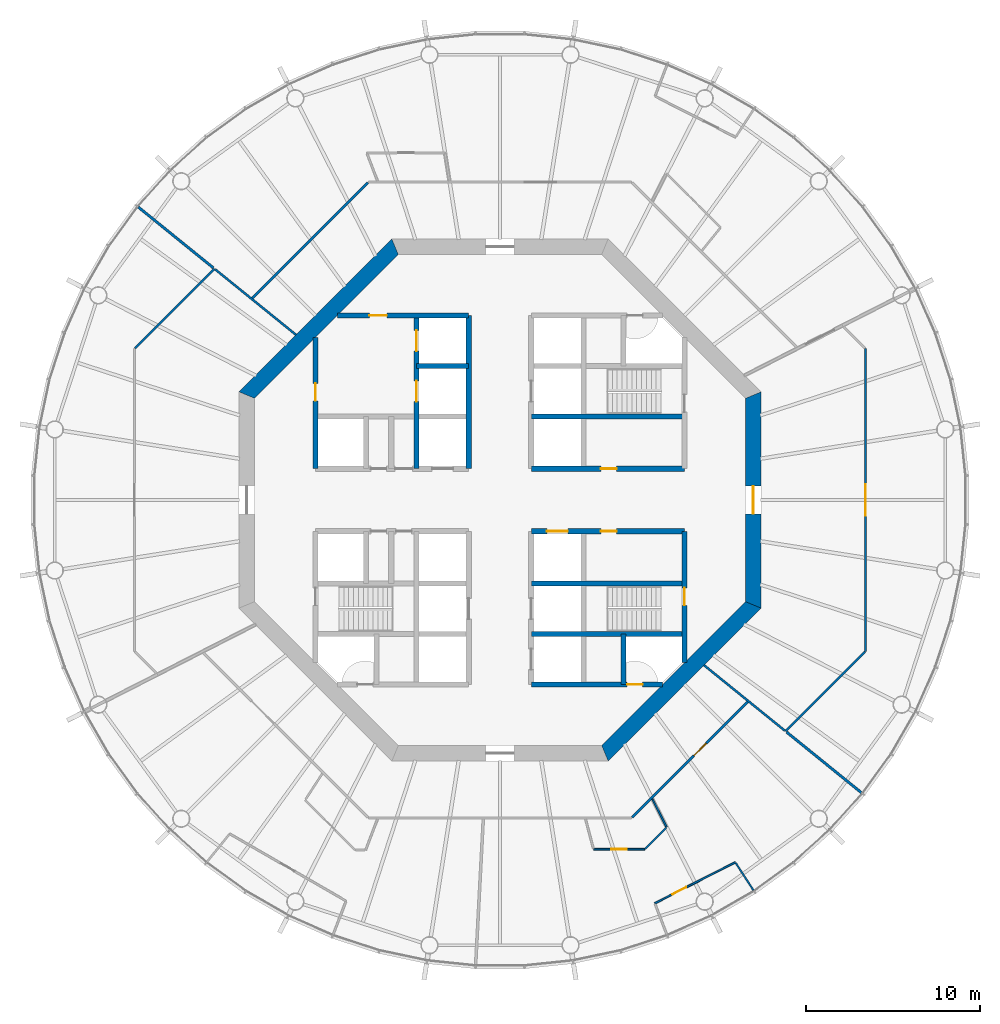
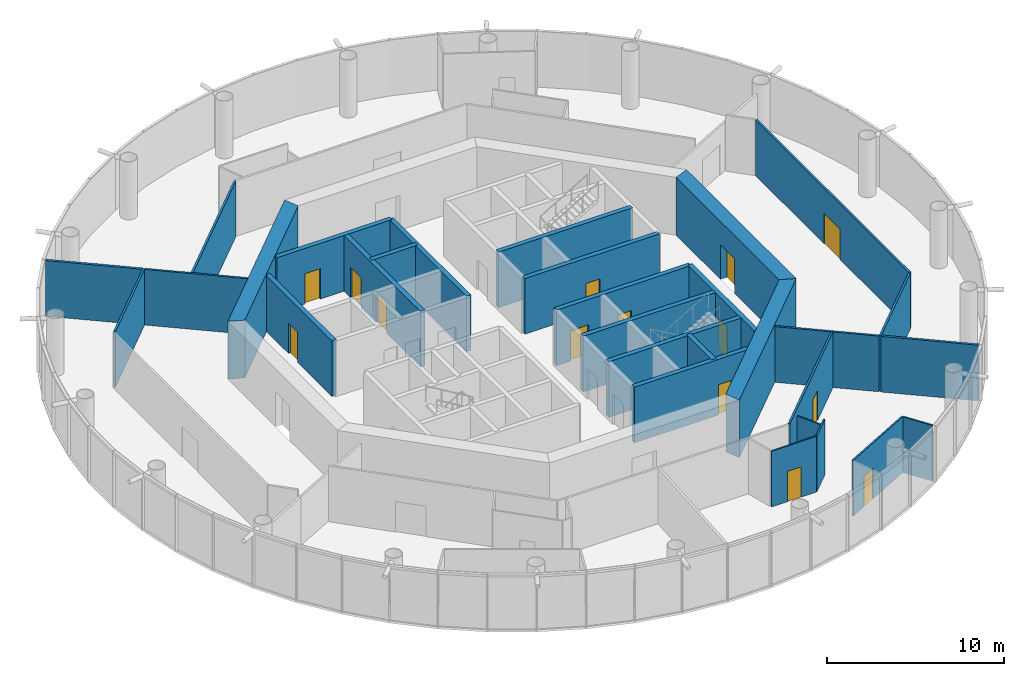
# One storey, part 4 of 13: 30 walls, 14 doors, 14 openings.
"""IFC4 building model written with IfcOpenShell, lengths in metres."""

from ifc_helpers import new_model, si_unit, direction, frame, frame_2d, origin, place, context, subcontext, project, spatial, polyline, rectangle, outline, extrude, material, layer, layer_set, type_object, element, fill, save


model = new_model("IFC4")

# Units and contexts
model_context = context("Model", 3, precision=1e-05, world=origin(), true_north=direction((0.0, 1.0)))
body_context = subcontext(model_context, "Body", "Model", "MODEL_VIEW")
ifc_project = project(units=[si_unit("LENGTHUNIT", "METRE"), si_unit("AREAUNIT", "SQUARE_METRE"), si_unit("VOLUMEUNIT", "CUBIC_METRE"), si_unit("PLANEANGLEUNIT", "RADIAN"), si_unit("MASSUNIT", "GRAM", prefix="KILO")], contexts=[model_context])

# Site, building, storey
site_placement = place(None, origin())
site = spatial("IfcSite", under=ifc_project, at=site_placement, CompositionType="ELEMENT")
building_placement = place(site_placement, origin())
building = spatial("IfcBuilding", under=site, at=building_placement, Name="Entoto Ring Tower", CompositionType="ELEMENT")
storey_placement = place(building_placement, frame((0.0, 0.0, 258.0)))
storey = spatial("IfcBuildingStorey", under=building, at=storey_placement, Name="L59", CompositionType="ELEMENT", Elevation=258.0)

# Wall, opening, door
ifc_material_1 = material(Name="Concrete C40/50", Category="concrete")
ifc_layer_1 = layer(ifc_material_1, 0.300048828125)
ifc_layer_set_1 = layer_set([ifc_layer_1], Name="Concrete C40/50")
wall_type_1 = type_object("IfcWallType", Name="Core enclosure wall 300 mm reinforced concrete", PredefinedType="SOLIDWALL", material=ifc_layer_set_1)
wall_1_placement = place(storey_placement, frame((100.60009765625, 70.65966796875, 0.0), z_axis=(0.0, 0.0, 1.0), x_axis=(0.0, 1.0, 0.0)))
wall_1 = element("IfcWall", 1, at=wall_1_placement, inside=storey, type_object=wall_type_1, Name="wall-L59-001", PredefinedType="SOLIDWALL", context=body_context, shape_type="SweptSolid", body=[
    extrude(rectangle(XDim=7.540283203125, YDim=0.300048828125, at=frame_2d((3.77001953125, 0.0))), origin(), (0.0, 0.0, 1.0), 3.85009765625),
])
opening_1_placement = place(wall_1_placement, frame((3.290283203125, 0.0, 0.0)))
opening_1 = element("IfcOpeningElement", 2, at=opening_1_placement, cuts=wall_1, Name="Opening K-61", PredefinedType="OPENING", context=body_context, shape_type="SweptSolid", body=[
    extrude(rectangle(XDim=1.0, YDim=2.10009765625, at=frame_2d((0.5, 1.050048828125))), frame((0.0, 0.16015625, 0.0), z_axis=(0.0, -1.0, 0.0), x_axis=(1.0, 0.0, 0.0)), (0.0, 0.0, 1.0), 0.320068359375),
])
ifc_material_2 = material(Name="Steel door leaf, fire rated", Category="steel")
ifc_layer_2 = layer(ifc_material_2, 0.050048828125)
ifc_layer_set_2 = layer_set([ifc_layer_2], Name="Steel door leaf, fire rated")
door_type_1 = type_object("IfcDoorType", Name="Fire door FD60 1000 x 2100 single leaf", OperationType="NOTDEFINED", PredefinedType="DOOR", material=ifc_layer_set_2)
door_1_placement = place(opening_1_placement, origin())
door_1 = element("IfcDoor", 3, at=door_1_placement, inside=storey, type_object=door_type_1, Name="Door K-61", OperationType="SINGLE_SWING_RIGHT", OverallHeight=2.10009765625, OverallWidth=1.0, PredefinedType="DOOR", context=body_context, shape_type="SweptSolid", body=[
    extrude(rectangle(XDim=1.0, YDim=2.10009765625, at=frame_2d((0.5, 1.050048828125))), frame((0.0, 0.02490234375, 0.0), z_axis=(0.0, -1.0, 0.0), x_axis=(1.0, 0.0, 0.0)), (0.0, 0.0, 1.0), 0.050048828125),
])
fill(opening_1, door_1)

# Walls
wall_2_placement = place(storey_placement, frame((97.10009765625, 69.39990234375, 0.0), z_axis=(0.0, 0.0, 1.0), x_axis=(0.0, 1.0, 0.0)))
element("IfcWall", 4, at=wall_2_placement, inside=storey, type_object=wall_type_1, Name="wall-L59-003", PredefinedType="SOLIDWALL", context=body_context, shape_type="SweptSolid", body=[
    extrude(rectangle(XDim=2.900146484375, YDim=0.300048828125, at=frame_2d((1.4501953125, 0.0))), origin(), (0.0, 0.0, 1.0), 3.85009765625),
])
wall_3_placement = place(storey_placement, frame((88.199951171875, 81.800048828125, 0.0), z_axis=(0.0, 0.0, 1.0), x_axis=(0.0, 1.0, 0.0)))
element("IfcWall", 5, at=wall_3_placement, inside=storey, type_object=wall_type_1, Name="wall-L59-010", PredefinedType="SOLIDWALL", context=body_context, shape_type="SweptSolid", body=[
    extrude(rectangle(XDim=8.800048828125, YDim=0.300048828125, at=frame_2d((4.39990234375, 0.0))), origin(), (0.0, 0.0, 1.0), 3.85009765625),
])

# Wall, openings, doors
wall_4_placement = place(storey_placement, frame((85.199951171875, 81.800048828125, 0.0), z_axis=(0.0, 0.0, 1.0), x_axis=(0.0, 1.0, 0.0)))
wall_4 = element("IfcWall", 6, at=wall_4_placement, inside=storey, type_object=wall_type_1, Name="wall-L59-012", PredefinedType="SOLIDWALL", context=body_context, shape_type="SweptSolid", body=[
    extrude(rectangle(XDim=8.800048828125, YDim=0.300048828125, at=frame_2d((4.39990234375, 0.0))), origin(), (0.0, 0.0, 1.0), 3.85009765625),
])
opening_2_placement = place(wall_4_placement, frame((3.85009765625, 0.0, 0.0)))
opening_2 = element("IfcOpeningElement", 7, at=opening_2_placement, cuts=wall_4, Name="Opening LD", PredefinedType="OPENING", context=body_context, shape_type="SweptSolid", body=[
    extrude(rectangle(XDim=1.199951171875, YDim=2.10009765625, at=frame_2d((0.60009765625, 1.050048828125))), frame((0.0, 0.16015625, 0.0), z_axis=(0.0, -1.0, 0.0), x_axis=(1.0, 0.0, 0.0)), (0.0, 0.0, 1.0), 0.320068359375),
])
opening_3_placement = place(wall_4_placement, frame((6.75, 0.0, 0.0)))
opening_3 = element("IfcOpeningElement", 8, at=opening_3_placement, cuts=wall_4, Name="Opening LD", PredefinedType="OPENING", context=body_context, shape_type="SweptSolid", body=[
    extrude(rectangle(XDim=1.199951171875, YDim=2.10009765625, at=frame_2d((0.60009765625, 1.050048828125))), frame((0.0, 0.16015625, 0.0), z_axis=(0.0, -1.0, 0.0), x_axis=(1.0, 0.0, 0.0)), (0.0, 0.0, 1.0), 0.320068359375),
])
ifc_material_3 = material(Name="Steel and glass door leaf", Category="steel")
ifc_layer_3 = layer(ifc_material_3, 0.050048828125)
ifc_layer_set_3 = layer_set([ifc_layer_3], Name="Steel and glass door leaf")
door_type_2 = type_object("IfcDoorType", Name="Landing door 1200 x 2100 sliding", OperationType="DOUBLE_DOOR_SLIDING", PredefinedType="DOOR", material=ifc_layer_set_3)
door_2_placement = place(opening_2_placement, origin())
door_2 = element("IfcDoor", 9, at=door_2_placement, inside=storey, type_object=door_type_2, Name="Landing door FF1", OperationType="SLIDING_TO_RIGHT", OverallHeight=2.10009765625, OverallWidth=1.199951171875, PredefinedType="DOOR", context=body_context, shape_type="SweptSolid", body=[
    extrude(rectangle(XDim=1.199951171875, YDim=2.10009765625, at=frame_2d((0.60009765625, 1.050048828125))), frame((0.0, 0.02490234375, 0.0), z_axis=(0.0, -1.0, 0.0), x_axis=(1.0, 0.0, 0.0)), (0.0, 0.0, 1.0), 0.050048828125),
])
fill(opening_2, door_2)
door_3_placement = place(opening_3_placement, origin())
door_3 = element("IfcDoor", 10, at=door_3_placement, inside=storey, type_object=door_type_2, Name="Landing door FF2", OperationType="SLIDING_TO_RIGHT", OverallHeight=2.10009765625, OverallWidth=1.199951171875, PredefinedType="DOOR", context=body_context, shape_type="SweptSolid", body=[
    extrude(rectangle(XDim=1.199951171875, YDim=2.10009765625, at=frame_2d((0.60009765625, 1.050048828125))), frame((0.0, 0.02490234375, 0.0), z_axis=(0.0, -1.0, 0.0), x_axis=(1.0, 0.0, 0.0)), (0.0, 0.0, 1.0), 0.050048828125),
])
fill(opening_3, door_3)

# Wall, opening, door
wall_5_placement = place(storey_placement, frame((79.39990234375, 81.800048828125, 0.0), z_axis=(0.0, 0.0, 1.0), x_axis=(0.0, 1.0, 0.0)))
wall_5 = element("IfcWall", 11, at=wall_5_placement, inside=storey, type_object=wall_type_1, Name="wall-L59-019", PredefinedType="SOLIDWALL", context=body_context, shape_type="SweptSolid", body=[
    extrude(rectangle(XDim=7.540283203125, YDim=0.300048828125, at=frame_2d((3.77001953125, 0.0))), origin(), (0.0, 0.0, 1.0), 3.85009765625),
])
opening_4_placement = place(wall_5_placement, frame((3.89990234375, 0.0, 0.0)))
opening_4 = element("IfcOpeningElement", 12, at=opening_4_placement, cuts=wall_5, Name="Opening K-23", PredefinedType="OPENING", context=body_context, shape_type="SweptSolid", body=[
    extrude(rectangle(XDim=1.0, YDim=2.10009765625, at=frame_2d((0.5, 1.050048828125))), frame((0.0, 0.16015625, 0.0), z_axis=(0.0, -1.0, 0.0), x_axis=(1.0, 0.0, 0.0)), (0.0, 0.0, 1.0), 0.320068359375),
])
door_4_placement = place(opening_4_placement, frame((1.0, 0.0, 0.0), z_axis=(0.0, 0.0, 1.0), x_axis=(-1.0, 0.0, 0.0)))
door_4 = element("IfcDoor", 13, at=door_4_placement, inside=storey, type_object=door_type_1, Name="Door K-23", OperationType="SINGLE_SWING_RIGHT", OverallHeight=2.10009765625, OverallWidth=1.0, PredefinedType="DOOR", context=body_context, shape_type="SweptSolid", body=[
    extrude(rectangle(XDim=1.0, YDim=2.10009765625, at=frame_2d((0.5, 1.050048828125))), frame((0.0, 0.02490234375, 0.0), z_axis=(0.0, -1.0, 0.0), x_axis=(1.0, 0.0, 0.0)), (0.0, 0.0, 1.0), 0.050048828125),
])
fill(opening_4, door_4)

wall_6_placement = place(storey_placement, frame((91.800048828125, 69.39990234375, 0.0), z_axis=(0.0, 0.0, 1.0), x_axis=(1.0, 0.0, 0.0)))
wall_6 = element("IfcWall", 14, at=wall_6_placement, inside=storey, type_object=wall_type_1, Name="wall-L59-021", PredefinedType="SOLIDWALL", context=body_context, shape_type="SweptSolid", body=[
    extrude(rectangle(XDim=7.540283203125, YDim=0.300048828125, at=frame_2d((3.77001953125, 0.0))), origin(), (0.0, 0.0, 1.0), 3.85009765625),
])
opening_5_placement = place(wall_6_placement, frame((5.5, 0.0, 0.0)))
opening_5 = element("IfcOpeningElement", 15, at=opening_5_placement, cuts=wall_6, Name="Opening K-68", PredefinedType="OPENING", context=body_context, shape_type="SweptSolid", body=[
    extrude(rectangle(XDim=0.89990234375, YDim=2.10009765625, at=frame_2d((0.449951171875, 1.050048828125))), frame((0.0, 0.16015625, 0.0), z_axis=(0.0, -1.0, 0.0), x_axis=(1.0, 0.0, 0.0)), (0.0, 0.0, 1.0), 0.320068359375),
])
ifc_material_4 = material(Name="Steel door leaf, fire rated", Category="steel")
ifc_layer_4 = layer(ifc_material_4, 0.050048828125)
ifc_layer_set_4 = layer_set([ifc_layer_4], Name="Steel door leaf, fire rated")
door_type_3 = type_object("IfcDoorType", Name="Riser door FD60 900 x 2100 single leaf", OperationType="NOTDEFINED", PredefinedType="DOOR", material=ifc_layer_set_4)
door_5_placement = place(opening_5_placement, origin())
door_5 = element("IfcDoor", 16, at=door_5_placement, inside=storey, type_object=door_type_3, Name="Door K-68", OperationType="SINGLE_SWING_LEFT", OverallHeight=2.10009765625, OverallWidth=0.89990234375, PredefinedType="DOOR", context=body_context, shape_type="SweptSolid", body=[
    extrude(rectangle(XDim=0.89990234375, YDim=2.10009765625, at=frame_2d((0.449951171875, 1.050048828125))), frame((0.0, 0.02490234375, 0.0), z_axis=(0.0, -1.0, 0.0), x_axis=(1.0, 0.0, 0.0)), (0.0, 0.0, 1.0), 0.050048828125),
])
fill(opening_5, door_5)

# Walls
for number, where, z_axis, x_axis, name in (
    (17, (91.800048828125, 72.300048828125, 0.0), (0.0, 0.0, 1.0), (1.0, 0.0, 0.0), "wall-L59-023"),
    (18, (91.800048828125, 75.199951171875, 0.0), (0.0, 0.0, 1.0), (1.0, 0.0, 0.0), "wall-L59-025"),
):
    element("IfcWall", number, at=place(storey_placement, frame(where, z_axis=z_axis, x_axis=x_axis)), inside=storey, type_object=wall_type_1, Name=name, PredefinedType="SOLIDWALL", context=body_context, shape_type="SweptSolid", body=[
        extrude(rectangle(XDim=8.800048828125, YDim=0.300048828125, at=frame_2d((4.39990234375, 0.0))), origin(), (0.0, 0.0, 1.0), 3.85009765625),
    ])

# Wall, openings, doors
wall_7_placement = place(storey_placement, frame((91.800048828125, 78.199951171875, 0.0), z_axis=(0.0, 0.0, 1.0), x_axis=(1.0, 0.0, 0.0)))
wall_7 = element("IfcWall", 19, at=wall_7_placement, inside=storey, type_object=wall_type_1, Name="wall-L59-027", PredefinedType="SOLIDWALL", context=body_context, shape_type="SweptSolid", body=[
    extrude(rectangle(XDim=8.800048828125, YDim=0.300048828125, at=frame_2d((4.39990234375, 0.0))), origin(), (0.0, 0.0, 1.0), 3.85009765625),
])
opening_6_placement = place(wall_7_placement, frame((0.89990234375, 0.0, 0.0)))
opening_6 = element("IfcOpeningElement", 20, at=opening_6_placement, cuts=wall_7, Name="Opening LD", PredefinedType="OPENING", context=body_context, shape_type="SweptSolid", body=[
    extrude(rectangle(XDim=1.199951171875, YDim=2.10009765625, at=frame_2d((0.60009765625, 1.050048828125))), frame((0.0, 0.16015625, 0.0), z_axis=(0.0, -1.0, 0.0), x_axis=(1.0, 0.0, 0.0)), (0.0, 0.0, 1.0), 0.320068359375),
])
opening_7_placement = place(wall_7_placement, frame((4.0, 0.0, 0.0)))
opening_7 = element("IfcOpeningElement", 21, at=opening_7_placement, cuts=wall_7, Name="Opening K-14", PredefinedType="OPENING", context=body_context, shape_type="SweptSolid", body=[
    extrude(rectangle(XDim=0.89990234375, YDim=2.10009765625, at=frame_2d((0.449951171875, 1.050048828125))), frame((0.0, 0.16015625, 0.0), z_axis=(0.0, -1.0, 0.0), x_axis=(1.0, 0.0, 0.0)), (0.0, 0.0, 1.0), 0.320068359375),
])
ifc_material_5 = material(Name="Steel door leaf, fire rated", Category="steel")
ifc_layer_5 = layer(ifc_material_5, 0.050048828125)
ifc_layer_set_5 = layer_set([ifc_layer_5], Name="Steel door leaf, fire rated")
door_type_4 = type_object("IfcDoorType", Name="Core door 900 x 2100 single leaf", OperationType="NOTDEFINED", PredefinedType="DOOR", material=ifc_layer_set_5)
door_6_placement = place(opening_7_placement, frame((0.89990234375, 0.0, 0.0), z_axis=(0.0, 0.0, 1.0), x_axis=(-1.0, 0.0, 0.0)))
door_6 = element("IfcDoor", 22, at=door_6_placement, inside=storey, type_object=door_type_4, Name="Door K-14", OperationType="SINGLE_SWING_RIGHT", OverallHeight=2.10009765625, OverallWidth=0.89990234375, PredefinedType="DOOR", context=body_context, shape_type="SweptSolid", body=[
    extrude(rectangle(XDim=0.89990234375, YDim=2.10009765625, at=frame_2d((0.449951171875, 1.050048828125))), frame((0.0, 0.02490234375, 0.0), z_axis=(0.0, -1.0, 0.0), x_axis=(1.0, 0.0, 0.0)), (0.0, 0.0, 1.0), 0.050048828125),
])
fill(opening_7, door_6)
door_7_placement = place(opening_6_placement, origin())
door_7 = element("IfcDoor", 23, at=door_7_placement, inside=storey, type_object=door_type_2, Name="Landing door LB6-MR", OperationType="SLIDING_TO_LEFT", OverallHeight=2.10009765625, OverallWidth=1.199951171875, PredefinedType="DOOR", context=body_context, shape_type="SweptSolid", body=[
    extrude(rectangle(XDim=1.199951171875, YDim=2.10009765625, at=frame_2d((0.60009765625, 1.050048828125))), frame((0.0, 0.02490234375, 0.0), z_axis=(0.0, -1.0, 0.0), x_axis=(1.0, 0.0, 0.0)), (0.0, 0.0, 1.0), 0.050048828125),
])
fill(opening_6, door_7)

# Wall, opening, door
wall_8_placement = place(storey_placement, frame((91.800048828125, 81.800048828125, 0.0), z_axis=(0.0, 0.0, 1.0), x_axis=(1.0, 0.0, 0.0)))
wall_8 = element("IfcWall", 24, at=wall_8_placement, inside=storey, type_object=wall_type_1, Name="wall-L59-029", PredefinedType="SOLIDWALL", context=body_context, shape_type="SweptSolid", body=[
    extrude(rectangle(XDim=8.800048828125, YDim=0.300048828125, at=frame_2d((4.39990234375, 0.0))), origin(), (0.0, 0.0, 1.0), 3.85009765625),
])
opening_8_placement = place(wall_8_placement, frame((4.0, 0.0, 0.0)))
opening_8 = element("IfcOpeningElement", 25, at=opening_8_placement, cuts=wall_8, Name="Opening K-11", PredefinedType="OPENING", context=body_context, shape_type="SweptSolid", body=[
    extrude(rectangle(XDim=0.89990234375, YDim=2.10009765625, at=frame_2d((0.449951171875, 1.050048828125))), frame((0.0, 0.16015625, 0.0), z_axis=(0.0, -1.0, 0.0), x_axis=(1.0, 0.0, 0.0)), (0.0, 0.0, 1.0), 0.320068359375),
])
door_8_placement = place(opening_8_placement, origin())
door_8 = element("IfcDoor", 26, at=door_8_placement, inside=storey, type_object=door_type_4, Name="Door K-11", OperationType="SINGLE_SWING_LEFT", OverallHeight=2.10009765625, OverallWidth=0.89990234375, PredefinedType="DOOR", context=body_context, shape_type="SweptSolid", body=[
    extrude(rectangle(XDim=0.89990234375, YDim=2.10009765625, at=frame_2d((0.449951171875, 1.050048828125))), frame((0.0, 0.02490234375, 0.0), z_axis=(0.0, -1.0, 0.0), x_axis=(1.0, 0.0, 0.0)), (0.0, 0.0, 1.0), 0.050048828125),
])
fill(opening_8, door_8)

# Walls
wall_9_placement = place(storey_placement, frame((91.800048828125, 84.800048828125, 0.0), z_axis=(0.0, 0.0, 1.0), x_axis=(1.0, 0.0, 0.0)))
element("IfcWall", 27, at=wall_9_placement, inside=storey, type_object=wall_type_1, Name="wall-L59-031", PredefinedType="SOLIDWALL", context=body_context, shape_type="SweptSolid", body=[
    extrude(rectangle(XDim=8.800048828125, YDim=0.300048828125, at=frame_2d((4.39990234375, 0.0))), origin(), (0.0, 0.0, 1.0), 3.85009765625),
])
wall_10_placement = place(storey_placement, frame((85.199951171875, 87.699951171875, 0.0), z_axis=(0.0, 0.0, 1.0), x_axis=(1.0, 0.0, 0.0)))
element("IfcWall", 28, at=wall_10_placement, inside=storey, type_object=wall_type_1, Name="wall-L59-032", PredefinedType="SOLIDWALL", context=body_context, shape_type="SweptSolid", body=[
    extrude(rectangle(XDim=3.0, YDim=0.300048828125, at=frame_2d((1.5, 0.0))), origin(), (0.0, 0.0, 1.0), 3.85009765625),
])

# Wall, opening, door
wall_11_placement = place(storey_placement, frame((80.65966796875, 90.60009765625, 0.0), z_axis=(0.0, 0.0, 1.0), x_axis=(1.0, 0.0, 0.0)))
wall_11 = element("IfcWall", 29, at=wall_11_placement, inside=storey, type_object=wall_type_1, Name="wall-L59-034", PredefinedType="SOLIDWALL", context=body_context, shape_type="SweptSolid", body=[
    extrude(rectangle(XDim=7.540283203125, YDim=0.300048828125, at=frame_2d((3.77001953125, 0.0))), origin(), (0.0, 0.0, 1.0), 3.85009765625),
])
opening_9_placement = place(wall_11_placement, frame((1.84033203125, 0.0, 0.0)))
opening_9 = element("IfcOpeningElement", 30, at=opening_9_placement, cuts=wall_11, Name="Opening K-73", PredefinedType="OPENING", context=body_context, shape_type="SweptSolid", body=[
    extrude(rectangle(XDim=1.0, YDim=2.10009765625, at=frame_2d((0.5, 1.050048828125))), frame((0.0, 0.16015625, 0.0), z_axis=(0.0, -1.0, 0.0), x_axis=(1.0, 0.0, 0.0)), (0.0, 0.0, 1.0), 0.320068359375),
])
door_9_placement = place(opening_9_placement, frame((1.0, 0.0, 0.0), z_axis=(0.0, 0.0, 1.0), x_axis=(-1.0, 0.0, 0.0)))
door_9 = element("IfcDoor", 31, at=door_9_placement, inside=storey, type_object=door_type_1, Name="Door K-73", OperationType="SINGLE_SWING_LEFT", OverallHeight=2.10009765625, OverallWidth=1.0, PredefinedType="DOOR", context=body_context, shape_type="SweptSolid", body=[
    extrude(rectangle(XDim=1.0, YDim=2.10009765625, at=frame_2d((0.5, 1.050048828125))), frame((0.0, 0.02490234375, 0.0), z_axis=(0.0, -1.0, 0.0), x_axis=(1.0, 0.0, 0.0)), (0.0, 0.0, 1.0), 0.050048828125),
])
fill(opening_9, door_9)

ifc_material_6 = material(Name="Concrete C50/60", Category="concrete")
ifc_layer_6 = layer(ifc_material_6, 0.89990234375)
ifc_layer_set_6 = layer_set([ifc_layer_6], Name="Concrete C50/60")
wall_type_2 = type_object("IfcWallType", Name="Core shear wall 900 mm reinforced concrete C50/60", PredefinedType="SHEAR", material=ifc_layer_set_6)
wall_12_placement = place(storey_placement, frame((104.550048828125, 73.97314453125, 0.0), z_axis=(0.0, 0.0, 1.0), x_axis=(0.0, 1.0, 0.0)))
wall_12 = element("IfcWall", 32, at=wall_12_placement, inside=storey, type_object=wall_type_2, Name="wall-L59-core-0", PredefinedType="SHEAR", context=body_context, shape_type="SweptSolid", body=[
    extrude(outline(polyline([(-0.186279296875, -0.449951171875), (12.239990234375, -0.449951171875), (11.867431640625, 0.449951171875), (0.186279296875, 0.449951171875), (-0.186279296875, -0.449951171875)])), origin(), (0.0, 0.0, 1.0), 4.0),
])
opening_10_placement = place(wall_12_placement, frame((5.226806640625, 0.0, 0.0)))
opening_10 = element("IfcOpeningElement", 33, at=opening_10_placement, cuts=wall_12, Name="Opening K-01", PredefinedType="OPENING", context=body_context, shape_type="SweptSolid", body=[
    extrude(rectangle(XDim=1.60009765625, YDim=2.39990234375, at=frame_2d((0.800048828125, 1.199951171875))), frame((0.0, 0.4599609375, 0.0), z_axis=(0.0, -1.0, 0.0), x_axis=(1.0, 0.0, 0.0)), (0.0, 0.0, 1.0), 0.919921875),
])
ifc_material_7 = material(Name="Steel door leaf, fire rated", Category="steel")
ifc_layer_7 = layer(ifc_material_7, 0.050048828125)
ifc_layer_set_7 = layer_set([ifc_layer_7], Name="Steel door leaf, fire rated")
door_type_5 = type_object("IfcDoorType", Name="Entrance door FD60 1600 x 2400 double leaf", OperationType="DOUBLE_DOOR_SINGLE_SWING", PredefinedType="DOOR", material=ifc_layer_set_7)
door_10_placement = place(opening_10_placement, origin())
door_10 = element("IfcDoor", 34, at=door_10_placement, inside=storey, type_object=door_type_5, Name="Entrance door K-01", OperationType="DOUBLE_DOOR_SINGLE_SWING", OverallHeight=2.39990234375, OverallWidth=1.60009765625, PredefinedType="DOOR", context=body_context, shape_type="SweptSolid", body=[
    extrude(rectangle(XDim=1.60009765625, YDim=2.39990234375, at=frame_2d((0.800048828125, 1.199951171875))), frame((0.0, 0.02490234375, 0.0), z_axis=(0.0, -1.0, 0.0), x_axis=(1.0, 0.0, 0.0)), (0.0, 0.0, 1.0), 0.050048828125),
])
fill(opening_10, door_10)

# Walls
for number, where, z_axis, x_axis, name in (
    (35, (83.97314453125, 94.550048828125, 0.0), (0.0, 0.0, 1.0), (-0.707106781187, -0.707106781187, 0.0), "wall-L59-core-3"),
    (36, (96.02685546875, 65.449951171875, 0.0), (0.0, 0.0, 1.0), (0.707106781187, 0.707106781187, 0.0), "wall-L59-core-7"),
):
    element("IfcWall", number, at=place(storey_placement, frame(where, z_axis=z_axis, x_axis=x_axis)), inside=storey, type_object=wall_type_2, Name=name, PredefinedType="SHEAR", context=body_context, shape_type="SweptSolid", body=[
        extrude(outline(polyline([(-0.186279296875, -0.449951171875), (12.239990234375, -0.449951171875), (11.867431640625, 0.449951171875), (0.186279296875, 0.449951171875), (-0.186279296875, -0.449951171875)])), origin(), (0.0, 0.0, 1.0), 4.0),
    ])

# Wall, opening, door
ifc_material_8 = material(Name="Fire-resisting plasterboard on steel studs", Category="steel")
ifc_layer_8 = layer(ifc_material_8, 0.125)
ifc_layer_set_8 = layer_set([ifc_layer_8], Name="Fire-resisting plasterboard on steel studs")
wall_type_3 = type_object("IfcWallType", Name="Corridor wall 125 mm one-hour plasterboard on steel studs", PredefinedType="PARTITIONING", material=ifc_layer_set_8)
wall_13_placement = place(storey_placement, frame((111.0, 71.301513671875, 0.0), z_axis=(0.0, 0.0, 1.0), x_axis=(0.0, 1.0, 0.0)))
wall_13 = element("IfcWall", 37, at=wall_13_placement, inside=storey, type_object=wall_type_3, Name="partition-L59-002", PredefinedType="PARTITIONING", context=body_context, shape_type="SweptSolid", body=[
    extrude(rectangle(XDim=17.39697265625, YDim=0.125, at=frame_2d((8.698486328125, 0.0))), origin(), (0.0, 0.0, 1.0), 3.85009765625),
])
opening_11_placement = place(wall_13_placement, frame((7.798583984375, 0.0, 0.0)))
opening_11 = element("IfcOpeningElement", 38, at=opening_11_placement, cuts=wall_13, Name="Opening A25-D01", PredefinedType="OPENING", context=body_context, shape_type="SweptSolid", body=[
    extrude(rectangle(XDim=1.800048828125, YDim=2.10009765625, at=frame_2d((0.89990234375, 1.050048828125))), frame((0.0, 0.072509765625, 0.0), z_axis=(0.0, -1.0, 0.0), x_axis=(1.0, 0.0, 0.0)), (0.0, 0.0, 1.0), 0.14501953125),
])
ifc_material_9 = material(Name="Fire-resisting timber door set", Category="wood")
door_type_6 = type_object("IfcDoorType", Name="Door 1800 x 2100 double leaf FD30S fire door", OperationType="DOUBLE_DOOR_SINGLE_SWING", PredefinedType="DOOR", material=ifc_material_9)
door_11_placement = place(opening_11_placement, frame((1.800048828125, 0.0, 0.0), z_axis=(0.0, 0.0, 1.0), x_axis=(-1.0, 0.0, 0.0)))
door_11 = element("IfcDoor", 39, at=door_11_placement, inside=storey, type_object=door_type_6, Name="Door A25-D01", OperationType="DOUBLE_DOOR_SINGLE_SWING", OverallHeight=2.10009765625, OverallWidth=1.800048828125, PredefinedType="DOOR", context=body_context, shape_type="SweptSolid", body=[
    extrude(rectangle(XDim=1.800048828125, YDim=2.10009765625, at=frame_2d((0.89990234375, 1.050048828125))), frame((0.0, 0.02490234375, 0.0), z_axis=(0.0, -1.0, 0.0), x_axis=(1.0, 0.0, 0.0)), (0.0, 0.0, 1.0), 0.050048828125),
])
fill(opening_11, door_11)

# Wall
wall_14_placement = place(storey_placement, frame((75.7783203125, 91.605224609375, 0.0), z_axis=(0.0, 0.0, 1.0), x_axis=(0.707093754284, 0.707119807849, 0.0)))
element("IfcWall", 40, at=wall_14_placement, inside=storey, type_object=wall_type_3, Name="partition-L59-007", PredefinedType="PARTITIONING", context=body_context, shape_type="SweptSolid", body=[
    extrude(rectangle(XDim=9.37060546875, YDim=0.125, at=frame_2d((4.685302734375, 0.0))), origin(), (0.0, 0.0, 1.0), 3.85009765625),
])

# Wall, opening, door
wall_15_placement = place(storey_placement, frame((97.595703125, 61.7685546875, 0.0), z_axis=(0.0, 0.0, 1.0), x_axis=(0.707093754284, 0.707119807849, 0.0)))
wall_15 = element("IfcWall", 41, at=wall_15_placement, inside=storey, type_object=wall_type_3, Name="partition-L59-008", PredefinedType="PARTITIONING", context=body_context, shape_type="SweptSolid", body=[
    extrude(rectangle(XDim=9.37060546875, YDim=0.125, at=frame_2d((4.685302734375, 0.0))), origin(), (0.0, 0.0, 1.0), 3.85009765625),
])
opening_12_placement = place(wall_15_placement, frame((5.013427734375, 0.0, 0.0)))
opening_12 = element("IfcOpeningElement", 42, at=opening_12_placement, cuts=wall_15, Name="Opening A25-D11", PredefinedType="OPENING", context=body_context, shape_type="SweptSolid", body=[
    extrude(rectangle(XDim=1.0, YDim=2.10009765625, at=frame_2d((0.5, 1.050048828125))), frame((0.0, 0.072509765625, 0.0), z_axis=(0.0, -1.0, 0.0), x_axis=(1.0, 0.0, 0.0)), (0.0, 0.0, 1.0), 0.14501953125),
])
ifc_material_10 = material(Name="Fire-resisting timber door set", Category="wood")
door_type_7 = type_object("IfcDoorType", Name="Door 1000 x 2100 single leaf FD30S fire door", OperationType="NOTDEFINED", PredefinedType="DOOR", material=ifc_material_10)
door_12_placement = place(opening_12_placement, frame((1.0, 0.0, 0.0), z_axis=(0.0, 0.0, 1.0), x_axis=(-1.0, 0.0, 0.0)))
door_12 = element("IfcDoor", 43, at=door_12_placement, inside=storey, type_object=door_type_7, Name="Door A25-D11", OperationType="SINGLE_SWING_LEFT", OverallHeight=2.10009765625, OverallWidth=1.0, PredefinedType="DOOR", context=body_context, shape_type="SweptSolid", body=[
    extrude(rectangle(XDim=1.0, YDim=2.10009765625, at=frame_2d((0.5, 1.050048828125))), frame((0.0, 0.02490234375, 0.0), z_axis=(0.0, -1.0, 0.0), x_axis=(1.0, 0.0, 0.0)), (0.0, 0.0, 1.0), 0.050048828125),
])
fill(opening_12, door_12)

# Walls
for number, where, z_axis, x_axis, name in (
    (44, (69.031005859375, 88.7294921875, 0.0), (0.0, 0.0, 1.0), (0.707106781187, 0.707106781187, 0.0), "partition-L59-009"),
    (45, (106.409912109375, 66.71142578125, 0.0), (0.0, 0.0, 1.0), (0.707106781187, 0.707106781187, 0.0), "partition-L59-010"),
):
    element("IfcWall", number, at=place(storey_placement, frame(where, z_axis=z_axis, x_axis=x_axis)), inside=storey, type_object=wall_type_3, Name=name, PredefinedType="PARTITIONING", context=body_context, shape_type="SweptSolid", body=[
        extrude(rectangle(XDim=6.447509765625, YDim=0.125, at=frame_2d((3.2236328125, 0.0))), origin(), (0.0, 0.0, 1.0), 3.85009765625),
    ])
for number, where, z_axis, x_axis, name in (
    (46, (78.278564453125, 89.49169921875, 0.0), (0.0, 0.0, 1.0), (-0.777137265192, 0.629331129891, 0.0), "partition-L59-013"),
    (47, (106.36181640625, 66.75048828125, 0.0), (0.0, 0.0, 1.0), (-0.777137265192, 0.629331129891, 0.0), "partition-L59-014"),
):
    element("IfcWall", number, at=place(storey_placement, frame(where, z_axis=z_axis, x_axis=x_axis)), inside=storey, type_object=wall_type_3, Name=name, PredefinedType="PARTITIONING", context=body_context, shape_type="SweptSolid", body=[
        extrude(rectangle(XDim=5.97119140625, YDim=0.125, at=frame_2d((2.985595703125, 0.0))), origin(), (0.0, 0.0, 1.0), 3.85009765625),
    ])

# Wall, opening, door
ifc_material_11 = material(Name="Plasterboard on steel studs", Category="steel")
ifc_layer_9 = layer(ifc_material_11, 0.10009765625)
ifc_layer_set_9 = layer_set([ifc_layer_9], Name="Plasterboard on steel studs")
wall_type_4 = type_object("IfcWallType", Name="Partition 100 mm plasterboard on steel studs", PredefinedType="PARTITIONING", material=ifc_layer_set_9)
wall_16_placement = place(storey_placement, frame((98.894775390625, 56.82861328125, 0.0), z_axis=(0.0, 0.0, 1.0), x_axis=(0.891013641009, 0.453976531921, 0.0)))
wall_16 = element("IfcWall", 48, at=wall_16_placement, inside=storey, type_object=wall_type_4, Name="partition-L59-024", PredefinedType="PARTITIONING", context=body_context, shape_type="SweptSolid", body=[
    extrude(rectangle(XDim=5.1884765625, YDim=0.10009765625, at=frame_2d((2.59423828125, 0.0))), origin(), (0.0, 0.0, 1.0), 3.85009765625),
])
opening_13_placement = place(wall_16_placement, frame((1.127685546875, 0.0, 0.0)))
opening_13 = element("IfcOpeningElement", 49, at=opening_13_placement, cuts=wall_16, Name="Opening A25-D13", PredefinedType="OPENING", context=body_context, shape_type="SweptSolid", body=[
    extrude(rectangle(XDim=0.89990234375, YDim=2.10009765625, at=frame_2d((0.449951171875, 1.050048828125))), frame((0.0, 0.06005859375, 0.0), z_axis=(0.0, -1.0, 0.0), x_axis=(1.0, 0.0, 0.0)), (0.0, 0.0, 1.0), 0.1201171875),
])
ifc_material_12 = material(Name="Veneered timber door leaf in timber frame", Category="wood")
door_type_8 = type_object("IfcDoorType", Name="Door 900 x 2100 single leaf timber veneer", OperationType="NOTDEFINED", PredefinedType="DOOR", material=ifc_material_12)
door_13_placement = place(opening_13_placement, frame((0.89990234375, 0.0, 0.0), z_axis=(0.0, 0.0, 1.0), x_axis=(-1.0, 0.0, 0.0)))
door_13 = element("IfcDoor", 50, at=door_13_placement, inside=storey, type_object=door_type_8, Name="Door A25-D13", OperationType="SINGLE_SWING_RIGHT", OverallHeight=2.10009765625, OverallWidth=0.89990234375, PredefinedType="DOOR", context=body_context, shape_type="SweptSolid", body=[
    extrude(rectangle(XDim=0.89990234375, YDim=2.10009765625, at=frame_2d((0.449951171875, 1.050048828125))), frame((0.0, 0.02490234375, 0.0), z_axis=(0.0, -1.0, 0.0), x_axis=(1.0, 0.0, 0.0)), (0.0, 0.0, 1.0), 0.050048828125),
])
fill(opening_13, door_13)

wall_17_placement = place(storey_placement, frame((95.375732421875, 59.9375, 0.0), z_axis=(0.0, 0.0, 1.0), x_axis=(1.0, 0.0, 0.0)))
wall_17 = element("IfcWall", 51, at=wall_17_placement, inside=storey, type_object=wall_type_4, Name="partition-L59-028", PredefinedType="PARTITIONING", context=body_context, shape_type="SweptSolid", body=[
    extrude(rectangle(XDim=2.9345703125, YDim=0.10009765625, at=frame_2d((1.46728515625, 0.0))), origin(), (0.0, 0.0, 1.0), 3.85009765625),
])
opening_14_placement = place(wall_17_placement, frame((1.01708984375, 0.0, 0.0)))
opening_14 = element("IfcOpeningElement", 52, at=opening_14_placement, cuts=wall_17, Name="Opening A25-D12", PredefinedType="OPENING", context=body_context, shape_type="SweptSolid", body=[
    extrude(rectangle(XDim=0.89990234375, YDim=2.10009765625, at=frame_2d((0.449951171875, 1.050048828125))), frame((0.0, 0.06005859375, 0.0), z_axis=(0.0, -1.0, 0.0), x_axis=(1.0, 0.0, 0.0)), (0.0, 0.0, 1.0), 0.1201171875),
])
door_14_placement = place(opening_14_placement, origin())
door_14 = element("IfcDoor", 53, at=door_14_placement, inside=storey, type_object=door_type_8, Name="Door A25-D12", OperationType="SINGLE_SWING_LEFT", OverallHeight=2.10009765625, OverallWidth=0.89990234375, PredefinedType="DOOR", context=body_context, shape_type="SweptSolid", body=[
    extrude(rectangle(XDim=0.89990234375, YDim=2.10009765625, at=frame_2d((0.449951171875, 1.050048828125))), frame((0.0, 0.02490234375, 0.0), z_axis=(0.0, -1.0, 0.0), x_axis=(1.0, 0.0, 0.0)), (0.0, 0.0, 1.0), 0.050048828125),
])
fill(opening_14, door_14)

# Walls
wall_18_placement = place(storey_placement, frame((104.563720703125, 57.573974609375, 0.0), z_axis=(0.0, 0.0, 1.0), x_axis=(-0.54469009927, 0.83863740422, 0.0)))
element("IfcWall", 54, at=wall_18_placement, inside=storey, type_object=wall_type_4, Name="partition-L59-032", PredefinedType="PARTITIONING", context=body_context, shape_type="SweptSolid", body=[
    extrude(rectangle(XDim=1.870361328125, YDim=0.10009765625, at=frame_2d((0.93505859375, 0.0))), origin(), (0.0, 0.0, 1.0), 3.85009765625),
])
wall_19_placement = place(storey_placement, frame((98.3349609375, 59.96240234375, 0.0), z_axis=(0.0, 0.0, 1.0), x_axis=(0.707178209721, 0.707035345436, 0.0)))
element("IfcWall", 55, at=wall_19_placement, inside=storey, type_object=wall_type_4, Name="partition-L59-041", PredefinedType="PARTITIONING", context=body_context, shape_type="SweptSolid", body=[
    extrude(rectangle(XDim=1.708984375, YDim=0.10009765625, at=frame_2d((0.8544921875, 0.0))), origin(), (0.0, 0.0, 1.0), 3.85009765625),
])
ifc_material_13 = material(Name="Plasterboard on steel studs", Category="steel")
ifc_layer_10 = layer(ifc_material_13, 0.10009765625)
ifc_layer_set_10 = layer_set([ifc_layer_10], Name="Plasterboard on steel studs")
wall_type_5 = type_object("IfcWallType", Name="Partition 100 mm plasterboard on steel studs, 3350 mm high", PredefinedType="PARTITIONING", material=ifc_layer_set_10)
wall_20_placement = place(storey_placement, frame((99.576904296875, 61.204345703125, 0.0), z_axis=(0.0, 0.0, 1.0), x_axis=(-0.453996476089, 0.891003479061, 0.0)))
element("IfcWall", 56, at=wall_20_placement, inside=storey, type_object=wall_type_5, Name="partition-L59-034", PredefinedType="PARTITIONING", context=body_context, shape_type="SweptSolid", body=[
    extrude(rectangle(XDim=1.810546875, YDim=0.10009765625, at=frame_2d((0.9052734375, 0.0))), origin(), (0.0, 0.0, 1.0), 3.35009765625),
])
ifc_material_14 = material(Name="Fire-resisting acoustic plasterboard on steel studs", Category="steel")
ifc_layer_11 = layer(ifc_material_14, 0.14990234375)
ifc_layer_set_11 = layer_set([ifc_layer_11], Name="Fire-resisting acoustic plasterboard on steel studs")
wall_type_6 = type_object("IfcWallType", Name="Party wall 150 mm one-hour acoustic plasterboard on steel studs", PredefinedType="PARTITIONING", material=ifc_layer_set_11)
for number, where, z_axis, x_axis, name in (
    (57, (73.53515625, 93.3330078125, 0.0), (0.0, 0.0, 1.0), (-0.777171156881, 0.629289276019, 0.0), "partition-L59-018"),
    (58, (110.781005859375, 63.172119140625, 0.0), (0.0, 0.0, 1.0), (-0.777171156881, 0.629289276019, 0.0), "partition-L59-019"),
):
    element("IfcWall", number, at=place(storey_placement, frame(where, z_axis=z_axis, x_axis=x_axis)), inside=storey, type_object=wall_type_6, Name=name, PredefinedType="PARTITIONING", context=body_context, shape_type="SweptSolid", body=[
        extrude(rectangle(XDim=5.5537109375, YDim=0.14990234375, at=frame_2d((2.77685546875, 0.0))), origin(), (0.0, 0.0, 1.0), 3.85009765625),
    ])

save(model, "model.ifc")
